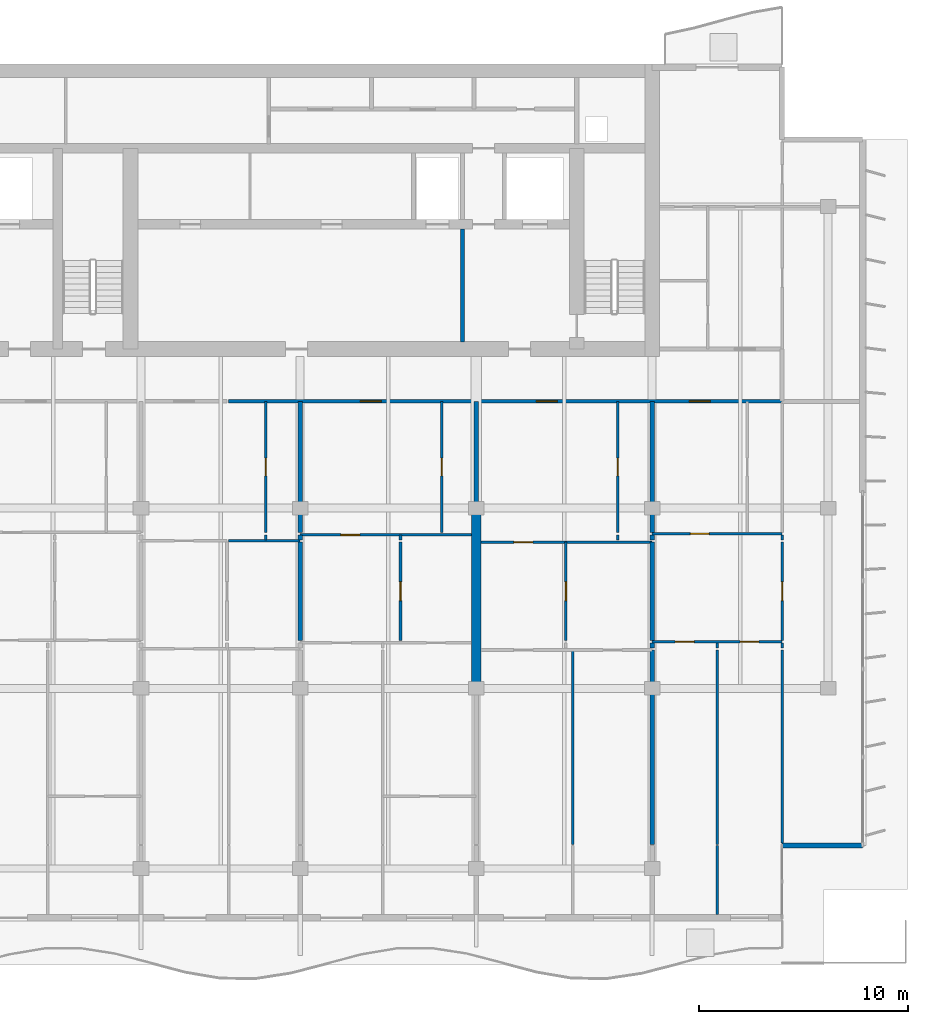
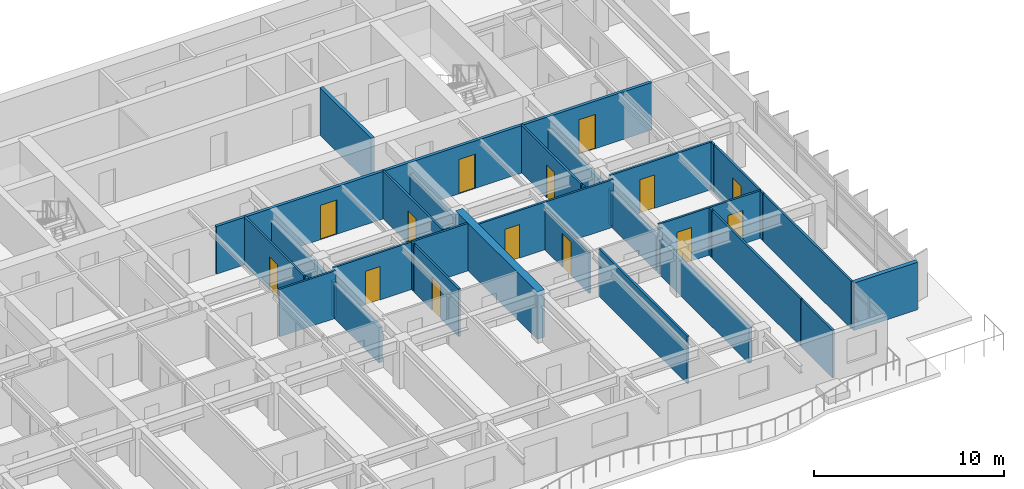
# One storey, part 9 of 17: 34 walls, 14 doors, 14 openings.
"""IFC4 building model written with IfcOpenShell, lengths in metres."""

from ifc_helpers import new_model, si_unit, direction, frame, frame_2d, origin, place, context, subcontext, project, spatial, rectangle, extrude, material, layer, layer_set, type_object, element, fill, save


model = new_model("IFC4")

# Units and contexts
model_context = context("Model", 3, precision=1e-05, world=origin(), true_north=direction((0.0, 1.0)))
body_context = subcontext(model_context, "Body", "Model", "MODEL_VIEW")
ifc_project = project(units=[si_unit("LENGTHUNIT", "METRE"), si_unit("AREAUNIT", "SQUARE_METRE"), si_unit("VOLUMEUNIT", "CUBIC_METRE"), si_unit("PLANEANGLEUNIT", "RADIAN"), si_unit("MASSUNIT", "GRAM", prefix="KILO")], contexts=[model_context])

# Site, building, storey
site_placement = place(None, origin())
site = spatial("IfcSite", under=ifc_project, at=site_placement, CompositionType="ELEMENT")
building_placement = place(site_placement, origin())
building = spatial("IfcBuilding", under=site, at=building_placement, Name="Caelmar Bay Residences", CompositionType="ELEMENT")
storey_placement = place(building_placement, frame((0.0, 0.0, 226.5)))
storey = spatial("IfcBuildingStorey", under=building, at=storey_placement, Name="L63", CompositionType="ELEMENT", Elevation=226.5)

# Wall
ifc_material_1 = material(Name="Concrete f'c 55 MPa (8,000 psi)", Category="concrete")
ifc_layer_1 = layer(ifc_material_1, 0.449951171875)
ifc_layer_set_1 = layer_set([ifc_layer_1], Name="Concrete f'c 55 MPa (8,000 psi)")
wall_type_1 = type_object("IfcWallType", Name="SW-XSLB-450", PredefinedType="SHEAR", material=ifc_layer_set_1)
wall_1_placement = place(storey_placement, frame((51.10009765625, 20.800048828125, 0.0), z_axis=(0.0, 0.0, 1.0), x_axis=(0.0, 1.0, 0.0)))
element("IfcWall", 1, at=wall_1_placement, inside=storey, type_object=wall_type_1, Name="L63 Transverse Cross-Slab Shear Wall E8", PredefinedType="SHEAR", context=body_context, shape_type="SweptSolid", body=[
    extrude(rectangle(XDim=8.599853515625, YDim=0.449951171875, at=frame_2d((4.2998046875, 0.0))), origin(), (0.0, 0.0, 1.0), 3.050048828125),
])

# Wall, openings, doors
ifc_material_2 = material(Name="Double-stud acoustic fire-rated gypsum partition 180 mm")
ifc_layer_2 = layer(ifc_material_2, 0.179931640625)
ifc_layer_set_2 = layer_set([ifc_layer_2], Name="Double-stud acoustic fire-rated gypsum partition 180 mm")
wall_type_2 = type_object("IfcWallType", Name="W-COR-200", PredefinedType="PARTITIONING", material=ifc_layer_set_2)
wall_2_placement = place(storey_placement, frame((39.280029296875, 34.5, 0.0), z_axis=(0.0, 0.0, 1.0), x_axis=(1.0, 0.0, 0.0)))
wall_2 = element("IfcWall", 2, at=wall_2_placement, inside=storey, type_object=wall_type_2, Name="L63 Partition Wall H121", PredefinedType="PARTITIONING", context=body_context, shape_type="SweptSolid", body=[
    extrude(rectangle(XDim=26.419921875, YDim=0.179931640625, at=frame_2d((13.2099609375, 0.0))), origin(), (0.0, 0.0, 1.0), 3.050048828125),
])
opening_1_placement = place(wall_2_placement, frame((6.294921875, 0.0, 0.0)))
opening_1 = element("IfcOpeningElement", 3, at=opening_1_placement, cuts=wall_2, Name="Opening D-L63-147", PredefinedType="OPENING", context=body_context, shape_type="SweptSolid", body=[
    extrude(rectangle(XDim=1.0, YDim=2.199951171875, at=frame_2d((0.5, 1.10009765625))), frame((0.0, 0.099853515625, 0.0), z_axis=(0.0, -1.0, 0.0), x_axis=(1.0, 0.0, 0.0)), (0.0, 0.0, 1.0), 0.199951171875),
])
opening_2_placement = place(wall_2_placement, frame((14.695068359375, 0.0, 0.0)))
opening_2 = element("IfcOpeningElement", 4, at=opening_2_placement, cuts=wall_2, Name="Opening D-L63-154", PredefinedType="OPENING", context=body_context, shape_type="SweptSolid", body=[
    extrude(rectangle(XDim=1.0, YDim=2.199951171875, at=frame_2d((0.5, 1.10009765625))), frame((0.0, 0.099853515625, 0.0), z_axis=(0.0, -1.0, 0.0), x_axis=(1.0, 0.0, 0.0)), (0.0, 0.0, 1.0), 0.199951171875),
])
opening_3_placement = place(wall_2_placement, frame((21.9951171875, 0.0, 0.0)))
opening_3 = element("IfcOpeningElement", 5, at=opening_3_placement, cuts=wall_2, Name="Opening D-L63-160", PredefinedType="OPENING", context=body_context, shape_type="SweptSolid", body=[
    extrude(rectangle(XDim=1.0, YDim=2.199951171875, at=frame_2d((0.5, 1.10009765625))), frame((0.0, 0.099853515625, 0.0), z_axis=(0.0, -1.0, 0.0), x_axis=(1.0, 0.0, 0.0)), (0.0, 0.0, 1.0), 0.199951171875),
])
ifc_material_3 = material(Name="Fire-rated steel and walnut architectural door assembly", Category="steel")
ifc_layer_3 = layer(ifc_material_3, 0.050048828125)
ifc_layer_set_3 = layer_set([ifc_layer_3], Name="Fire-rated steel and walnut architectural door assembly")
door_type_1 = type_object("IfcDoorType", Name="D-UNIT-1000", OperationType="NOTDEFINED", PredefinedType="DOOR", material=ifc_layer_set_3)
door_1_placement = place(opening_1_placement, origin())
door_1 = element("IfcDoor", 6, at=door_1_placement, inside=storey, type_object=door_type_1, Name="L63 Residence 05 Apartment Hall Door", OperationType="SINGLE_SWING_RIGHT", OverallHeight=2.199951171875, OverallWidth=1.0, PredefinedType="DOOR", context=body_context, shape_type="SweptSolid", body=[
    extrude(rectangle(XDim=1.0, YDim=2.199951171875, at=frame_2d((0.5, 1.10009765625))), frame((0.0, 0.02490234375, 0.0), z_axis=(0.0, -1.0, 0.0), x_axis=(1.0, 0.0, 0.0)), (0.0, 0.0, 1.0), 0.050048828125),
])
fill(opening_1, door_1)
door_2_placement = place(opening_2_placement, origin())
door_2 = element("IfcDoor", 7, at=door_2_placement, inside=storey, type_object=door_type_1, Name="L63 Residence 06 Apartment Hall Door", OperationType="SINGLE_SWING_LEFT", OverallHeight=2.199951171875, OverallWidth=1.0, PredefinedType="DOOR", context=body_context, shape_type="SweptSolid", body=[
    extrude(rectangle(XDim=1.0, YDim=2.199951171875, at=frame_2d((0.5, 1.10009765625))), frame((0.0, 0.02490234375, 0.0), z_axis=(0.0, -1.0, 0.0), x_axis=(1.0, 0.0, 0.0)), (0.0, 0.0, 1.0), 0.050048828125),
])
fill(opening_2, door_2)
door_3_placement = place(opening_3_placement, origin())
door_3 = element("IfcDoor", 8, at=door_3_placement, inside=storey, type_object=door_type_1, Name="L63 Residence 07 Apartment Hall Door", OperationType="SINGLE_SWING_LEFT", OverallHeight=2.199951171875, OverallWidth=1.0, PredefinedType="DOOR", context=body_context, shape_type="SweptSolid", body=[
    extrude(rectangle(XDim=1.0, YDim=2.199951171875, at=frame_2d((0.5, 1.10009765625))), frame((0.0, 0.02490234375, 0.0), z_axis=(0.0, -1.0, 0.0), x_axis=(1.0, 0.0, 0.0)), (0.0, 0.0, 1.0), 0.050048828125),
])
fill(opening_3, door_3)

# Walls
ifc_material_4 = material(Name="Precast concrete f'c 40 MPa (6,000 psi)", Category="concrete")
ifc_layer_4 = layer(ifc_material_4, 0.25)
ifc_layer_set_4 = layer_set([ifc_layer_4], Name="Precast concrete f'c 40 MPa (6,000 psi)")
wall_type_3 = type_object("IfcWallType", Name="W-EXT-250", PredefinedType="ELEMENTEDWALL", material=ifc_layer_set_4)
wall_3_placement = place(storey_placement, frame((65.699951171875, 13.300048828125, 0.0), z_axis=(0.0, 0.0, 1.0), x_axis=(1.0, 0.0, 0.0)))
element("IfcWall", 9, at=wall_3_placement, inside=storey, type_object=wall_type_3, Name="L63 SE Notch Return Wall", PredefinedType="ELEMENTEDWALL", context=body_context, shape_type="SweptSolid", body=[
    extrude(rectangle(XDim=3.85009765625, YDim=0.25, at=frame_2d((1.925048828125, 0.0))), origin(), (0.0, 0.0, 1.0), 3.050048828125),
])
ifc_material_5 = material(Name="Fire-rated masonry and gypsum shaftliner assembly 200 mm", Category="masonry")
ifc_layer_5 = layer(ifc_material_5, 0.199951171875)
ifc_layer_set_5 = layer_set([ifc_layer_5], Name="Fire-rated masonry and gypsum shaftliner assembly 200 mm")
wall_type_4 = type_object("IfcWallType", Name="W-FSAE-200", PredefinedType="PARTITIONING", material=ifc_layer_set_5)
wall_4_placement = place(storey_placement, frame((50.449951171875, 37.344970703125, 0.0), z_axis=(0.0, 0.0, 1.0), x_axis=(0.0, 1.0, 0.0)))
element("IfcWall", 10, at=wall_4_placement, inside=storey, type_object=wall_type_4, Name="L63 Partition Wall V069", PredefinedType="PARTITIONING", context=body_context, shape_type="SweptSolid", body=[
    extrude(rectangle(XDim=5.385009765625, YDim=0.199951171875, at=frame_2d((2.6923828125, 0.0))), origin(), (0.0, 0.0, 1.0), 3.050048828125),
])
ifc_material_6 = material(Name="Acoustic metal-stud gypsum partition 120 mm")
ifc_layer_6 = layer(ifc_material_6, 0.1201171875)
ifc_layer_set_6 = layer_set([ifc_layer_6], Name="Acoustic metal-stud gypsum partition 120 mm")
wall_type_5 = type_object("IfcWallType", Name="W-PRT-120", PredefinedType="PARTITIONING", material=ifc_layer_set_6)
wall_5_placement = place(storey_placement, frame((41.050048828125, 27.8798828125, 0.0), z_axis=(0.0, 0.0, 1.0), x_axis=(0.0, 1.0, 0.0)))
element("IfcWall", 11, at=wall_5_placement, inside=storey, type_object=wall_type_5, Name="L63 Partition Wall V052", PredefinedType="PARTITIONING", context=body_context, shape_type="SweptSolid", body=[
    extrude(rectangle(XDim=0.240234375, YDim=0.1201171875, at=frame_2d((0.1201171875, 0.0))), origin(), (0.0, 0.0, 1.0), 3.050048828125),
])

# Wall, opening, door
wall_6_placement = place(storey_placement, frame((41.050048828125, 28.239990234375, 0.0), z_axis=(0.0, 0.0, 1.0), x_axis=(0.0, 1.0, 0.0)))
wall_6 = element("IfcWall", 12, at=wall_6_placement, inside=storey, type_object=wall_type_5, Name="L63 Partition Wall V053", PredefinedType="PARTITIONING", context=body_context, shape_type="SweptSolid", body=[
    extrude(rectangle(XDim=6.260009765625, YDim=0.1201171875, at=frame_2d((3.1298828125, 0.0))), origin(), (0.0, 0.0, 1.0), 3.050048828125),
])
opening_4_placement = place(wall_6_placement, frame((2.705078125, 0.0, 0.0)))
opening_4 = element("IfcOpeningElement", 13, at=opening_4_placement, cuts=wall_6, Name="Opening D-L63-142", PredefinedType="OPENING", context=body_context, shape_type="SweptSolid", body=[
    extrude(rectangle(XDim=0.85009765625, YDim=2.10009765625, at=frame_2d((0.425048828125, 1.050048828125))), frame((0.0, 0.070068359375, 0.0), z_axis=(0.0, -1.0, 0.0), x_axis=(1.0, 0.0, 0.0)), (0.0, 0.0, 1.0), 0.14013671875),
])
ifc_material_7 = material(Name="Solid walnut timber interior door leaf and frame", Category="wood")
ifc_layer_7 = layer(ifc_material_7, 0.050048828125)
ifc_layer_set_7 = layer_set([ifc_layer_7], Name="Solid walnut timber interior door leaf and frame")
door_type_2 = type_object("IfcDoorType", Name="D-BATH-850", OperationType="NOTDEFINED", PredefinedType="DOOR", material=ifc_layer_set_7)
door_4_placement = place(opening_4_placement, origin())
door_4 = element("IfcDoor", 14, at=door_4_placement, inside=storey, type_object=door_type_2, Name="L63 Residence 04 Bathroom Door", OperationType="SINGLE_SWING_LEFT", OverallHeight=2.10009765625, OverallWidth=0.85009765625, PredefinedType="DOOR", context=body_context, shape_type="SweptSolid", body=[
    extrude(rectangle(XDim=0.85009765625, YDim=2.10009765625, at=frame_2d((0.425048828125, 1.050048828125))), frame((0.0, 0.02490234375, 0.0), z_axis=(0.0, -1.0, 0.0), x_axis=(1.0, 0.0, 0.0)), (0.0, 0.0, 1.0), 0.050048828125),
])
fill(opening_4, door_4)

wall_7_placement = place(storey_placement, frame((47.486083984375, 23.090087890625, 0.0), z_axis=(0.0, 0.0, 1.0), x_axis=(0.0, 1.0, 0.0)))
wall_7 = element("IfcWall", 15, at=wall_7_placement, inside=storey, type_object=wall_type_5, Name="L63 Partition Wall V065", PredefinedType="PARTITIONING", context=body_context, shape_type="SweptSolid", body=[
    extrude(rectangle(XDim=4.68994140625, YDim=0.1201171875, at=frame_2d((2.344970703125, 0.0))), origin(), (0.0, 0.0, 1.0), 3.050048828125),
])
opening_5_placement = place(wall_7_placement, frame((1.89501953125, 0.0, 0.0)))
opening_5 = element("IfcOpeningElement", 16, at=opening_5_placement, cuts=wall_7, Name="Opening D-L63-150", PredefinedType="OPENING", context=body_context, shape_type="SweptSolid", body=[
    extrude(rectangle(XDim=0.89990234375, YDim=2.14990234375, at=frame_2d((0.449951171875, 1.074951171875))), frame((0.0, 0.070068359375, 0.0), z_axis=(0.0, -1.0, 0.0), x_axis=(1.0, 0.0, 0.0)), (0.0, 0.0, 1.0), 0.14013671875),
])
ifc_layer_8 = layer(ifc_material_7, 0.050048828125)
ifc_layer_set_8 = layer_set([ifc_layer_8], Name="Solid walnut timber interior door leaf and frame")
door_type_3 = type_object("IfcDoorType", Name="D-ROOM-900", OperationType="NOTDEFINED", PredefinedType="DOOR", material=ifc_layer_set_8)
door_5_placement = place(opening_5_placement, origin())
door_5 = element("IfcDoor", 17, at=door_5_placement, inside=storey, type_object=door_type_3, Name="L63 Residence 05 Study Door", OperationType="SINGLE_SWING_LEFT", OverallHeight=2.14990234375, OverallWidth=0.89990234375, PredefinedType="DOOR", context=body_context, shape_type="SweptSolid", body=[
    extrude(rectangle(XDim=0.89990234375, YDim=2.14990234375, at=frame_2d((0.449951171875, 1.074951171875))), frame((0.0, 0.02490234375, 0.0), z_axis=(0.0, -1.0, 0.0), x_axis=(1.0, 0.0, 0.0)), (0.0, 0.0, 1.0), 0.050048828125),
])
fill(opening_5, door_5)

# Wall
wall_8_placement = place(storey_placement, frame((47.486083984375, 27.8798828125, 0.0), z_axis=(0.0, 0.0, 1.0), x_axis=(0.0, 1.0, 0.0)))
element("IfcWall", 18, at=wall_8_placement, inside=storey, type_object=wall_type_5, Name="L63 Partition Wall V066", PredefinedType="PARTITIONING", context=body_context, shape_type="SweptSolid", body=[
    extrude(rectangle(XDim=0.240234375, YDim=0.1201171875, at=frame_2d((0.1201171875, 0.0))), origin(), (0.0, 0.0, 1.0), 3.050048828125),
])

# Wall, opening, door
wall_9_placement = place(storey_placement, frame((49.449951171875, 28.239990234375, 0.0), z_axis=(0.0, 0.0, 1.0), x_axis=(0.0, 1.0, 0.0)))
wall_9 = element("IfcWall", 19, at=wall_9_placement, inside=storey, type_object=wall_type_5, Name="L63 Partition Wall V068", PredefinedType="PARTITIONING", context=body_context, shape_type="SweptSolid", body=[
    extrude(rectangle(XDim=6.260009765625, YDim=0.1201171875, at=frame_2d((3.1298828125, 0.0))), origin(), (0.0, 0.0, 1.0), 3.050048828125),
])
opening_6_placement = place(wall_9_placement, frame((2.705078125, 0.0, 0.0)))
opening_6 = element("IfcOpeningElement", 20, at=opening_6_placement, cuts=wall_9, Name="Opening D-L63-148", PredefinedType="OPENING", context=body_context, shape_type="SweptSolid", body=[
    extrude(rectangle(XDim=0.85009765625, YDim=2.10009765625, at=frame_2d((0.425048828125, 1.050048828125))), frame((0.0, 0.070068359375, 0.0), z_axis=(0.0, -1.0, 0.0), x_axis=(1.0, 0.0, 0.0)), (0.0, 0.0, 1.0), 0.14013671875),
])
door_6_placement = place(opening_6_placement, origin())
door_6 = element("IfcDoor", 21, at=door_6_placement, inside=storey, type_object=door_type_2, Name="L63 Residence 05 Bathroom Door", OperationType="SINGLE_SWING_LEFT", OverallHeight=2.10009765625, OverallWidth=0.85009765625, PredefinedType="DOOR", context=body_context, shape_type="SweptSolid", body=[
    extrude(rectangle(XDim=0.85009765625, YDim=2.10009765625, at=frame_2d((0.425048828125, 1.050048828125))), frame((0.0, 0.02490234375, 0.0), z_axis=(0.0, -1.0, 0.0), x_axis=(1.0, 0.0, 0.0)), (0.0, 0.0, 1.0), 0.050048828125),
])
fill(opening_6, door_6)

wall_10_placement = place(storey_placement, frame((55.385986328125, 23.090087890625, 0.0), z_axis=(0.0, 0.0, 1.0), x_axis=(0.0, 1.0, 0.0)))
wall_10 = element("IfcWall", 22, at=wall_10_placement, inside=storey, type_object=wall_type_5, Name="L63 Partition Wall V077", PredefinedType="PARTITIONING", context=body_context, shape_type="SweptSolid", body=[
    extrude(rectangle(XDim=4.68994140625, YDim=0.1201171875, at=frame_2d((2.344970703125, 0.0))), origin(), (0.0, 0.0, 1.0), 2.62890625),
])
opening_7_placement = place(wall_10_placement, frame((1.89501953125, 0.0, 0.0)))
opening_7 = element("IfcOpeningElement", 23, at=opening_7_placement, cuts=wall_10, Name="Opening D-L63-157", PredefinedType="OPENING", context=body_context, shape_type="SweptSolid", body=[
    extrude(rectangle(XDim=0.89990234375, YDim=2.14990234375, at=frame_2d((0.449951171875, 1.074951171875))), frame((0.0, 0.070068359375, 0.0), z_axis=(0.0, -1.0, 0.0), x_axis=(1.0, 0.0, 0.0)), (0.0, 0.0, 1.0), 0.14013671875),
])
door_7_placement = place(opening_7_placement, origin())
door_7 = element("IfcDoor", 24, at=door_7_placement, inside=storey, type_object=door_type_3, Name="L63 Residence 06 Study Door", OperationType="SINGLE_SWING_RIGHT", OverallHeight=2.14990234375, OverallWidth=0.89990234375, PredefinedType="DOOR", context=body_context, shape_type="SweptSolid", body=[
    extrude(rectangle(XDim=0.89990234375, YDim=2.14990234375, at=frame_2d((0.449951171875, 1.074951171875))), frame((0.0, 0.02490234375, 0.0), z_axis=(0.0, -1.0, 0.0), x_axis=(1.0, 0.0, 0.0)), (0.0, 0.0, 1.0), 0.050048828125),
])
fill(opening_7, door_7)

# Walls
wall_11_placement = place(storey_placement, frame((55.719970703125, 13.340087890625, 0.0), z_axis=(0.0, 0.0, 1.0), x_axis=(0.0, 1.0, 0.0)))
element("IfcWall", 25, at=wall_11_placement, inside=storey, type_object=wall_type_5, Name="L63 Partition Wall V079", PredefinedType="PARTITIONING", context=body_context, shape_type="SweptSolid", body=[
    extrude(rectangle(XDim=9.289794921875, YDim=0.1201171875, at=frame_2d((4.64501953125, 0.0))), origin(), (0.0, 0.0, 1.0), 3.050048828125),
])
wall_12_placement = place(storey_placement, frame((57.85009765625, 27.8798828125, 0.0), z_axis=(0.0, 0.0, 1.0), x_axis=(0.0, 1.0, 0.0)))
element("IfcWall", 26, at=wall_12_placement, inside=storey, type_object=wall_type_5, Name="L63 Partition Wall V081", PredefinedType="PARTITIONING", context=body_context, shape_type="SweptSolid", body=[
    extrude(rectangle(XDim=0.240234375, YDim=0.1201171875, at=frame_2d((0.1201171875, 0.0))), origin(), (0.0, 0.0, 1.0), 3.050048828125),
])

# Wall, opening, door
wall_13_placement = place(storey_placement, frame((57.85009765625, 28.239990234375, 0.0), z_axis=(0.0, 0.0, 1.0), x_axis=(0.0, 1.0, 0.0)))
wall_13 = element("IfcWall", 27, at=wall_13_placement, inside=storey, type_object=wall_type_5, Name="L63 Partition Wall V082", PredefinedType="PARTITIONING", context=body_context, shape_type="SweptSolid", body=[
    extrude(rectangle(XDim=6.260009765625, YDim=0.1201171875, at=frame_2d((3.1298828125, 0.0))), origin(), (0.0, 0.0, 1.0), 3.050048828125),
])
opening_8_placement = place(wall_13_placement, frame((2.705078125, 0.0, 0.0)))
opening_8 = element("IfcOpeningElement", 28, at=opening_8_placement, cuts=wall_13, Name="Opening D-L63-155", PredefinedType="OPENING", context=body_context, shape_type="SweptSolid", body=[
    extrude(rectangle(XDim=0.85009765625, YDim=2.10009765625, at=frame_2d((0.425048828125, 1.050048828125))), frame((0.0, 0.070068359375, 0.0), z_axis=(0.0, -1.0, 0.0), x_axis=(1.0, 0.0, 0.0)), (0.0, 0.0, 1.0), 0.14013671875),
])
door_8_placement = place(opening_8_placement, origin())
door_8 = element("IfcDoor", 29, at=door_8_placement, inside=storey, type_object=door_type_2, Name="L63 Residence 06 Bathroom Door", OperationType="SINGLE_SWING_RIGHT", OverallHeight=2.10009765625, OverallWidth=0.85009765625, PredefinedType="DOOR", context=body_context, shape_type="SweptSolid", body=[
    extrude(rectangle(XDim=0.85009765625, YDim=2.10009765625, at=frame_2d((0.425048828125, 1.050048828125))), frame((0.0, 0.02490234375, 0.0), z_axis=(0.0, -1.0, 0.0), x_axis=(1.0, 0.0, 0.0)), (0.0, 0.0, 1.0), 0.050048828125),
])
fill(opening_8, door_8)

# Walls
wall_14_placement = place(storey_placement, frame((62.60009765625, 9.9951171875, 0.0), z_axis=(0.0, 0.0, 1.0), x_axis=(0.0, 1.0, 0.0)))
element("IfcWall", 30, at=wall_14_placement, inside=storey, type_object=wall_type_5, Name="L63 Partition Wall V090", PredefinedType="PARTITIONING", context=body_context, shape_type="SweptSolid", body=[
    extrude(rectangle(XDim=3.304931640625, YDim=0.1201171875, at=frame_2d((1.65234375, 0.0))), origin(), (0.0, 0.0, 1.0), 3.050048828125),
])
wall_15_placement = place(storey_placement, frame((62.60009765625, 13.340087890625, 0.0), z_axis=(0.0, 0.0, 1.0), x_axis=(0.0, 1.0, 0.0)))
element("IfcWall", 31, at=wall_15_placement, inside=storey, type_object=wall_type_5, Name="L63 Partition Wall V091", PredefinedType="PARTITIONING", context=body_context, shape_type="SweptSolid", body=[
    extrude(rectangle(XDim=9.289794921875, YDim=0.1201171875, at=frame_2d((4.64501953125, 0.0))), origin(), (0.0, 0.0, 1.0), 3.050048828125),
])
wall_16_placement = place(storey_placement, frame((62.60009765625, 22.72998046875, 0.0), z_axis=(0.0, 0.0, 1.0), x_axis=(0.0, 1.0, 0.0)))
element("IfcWall", 32, at=wall_16_placement, inside=storey, type_object=wall_type_5, Name="L63 Partition Wall V092", PredefinedType="PARTITIONING", context=body_context, shape_type="SweptSolid", body=[
    extrude(rectangle(XDim=0.239990234375, YDim=0.1201171875, at=frame_2d((0.1201171875, 0.0))), origin(), (0.0, 0.0, 1.0), 3.050048828125),
])
wall_17_placement = place(storey_placement, frame((65.699951171875, 13.419921875, 0.0), z_axis=(0.0, 0.0, 1.0), x_axis=(0.0, 1.0, 0.0)))
element("IfcWall", 33, at=wall_17_placement, inside=storey, type_object=wall_type_5, Name="L63 Partition Wall V094", PredefinedType="PARTITIONING", context=body_context, shape_type="SweptSolid", body=[
    extrude(rectangle(XDim=9.2099609375, YDim=0.1201171875, at=frame_2d((4.60498046875, 0.0))), origin(), (0.0, 0.0, 1.0), 3.050048828125),
])
wall_18_placement = place(storey_placement, frame((65.699951171875, 22.72998046875, 0.0), z_axis=(0.0, 0.0, 1.0), x_axis=(0.0, 1.0, 0.0)))
element("IfcWall", 34, at=wall_18_placement, inside=storey, type_object=wall_type_5, Name="L63 Partition Wall V095", PredefinedType="PARTITIONING", context=body_context, shape_type="SweptSolid", body=[
    extrude(rectangle(XDim=0.239990234375, YDim=0.1201171875, at=frame_2d((0.1201171875, 0.0))), origin(), (0.0, 0.0, 1.0), 3.050048828125),
])

# Wall, opening, door
wall_19_placement = place(storey_placement, frame((65.699951171875, 23.090087890625, 0.0), z_axis=(0.0, 0.0, 1.0), x_axis=(0.0, 1.0, 0.0)))
wall_19 = element("IfcWall", 35, at=wall_19_placement, inside=storey, type_object=wall_type_5, Name="L63 Partition Wall V096", PredefinedType="PARTITIONING", context=body_context, shape_type="SweptSolid", body=[
    extrude(rectangle(XDim=4.68994140625, YDim=0.1201171875, at=frame_2d((2.344970703125, 0.0))), origin(), (0.0, 0.0, 1.0), 3.050048828125),
])
opening_9_placement = place(wall_19_placement, frame((1.89501953125, 0.0, 0.0)))
opening_9 = element("IfcOpeningElement", 36, at=opening_9_placement, cuts=wall_19, Name="Opening D-L63-166", PredefinedType="OPENING", context=body_context, shape_type="SweptSolid", body=[
    extrude(rectangle(XDim=0.89990234375, YDim=2.14990234375, at=frame_2d((0.449951171875, 1.074951171875))), frame((0.0, 0.070068359375, 0.0), z_axis=(0.0, -1.0, 0.0), x_axis=(1.0, 0.0, 0.0)), (0.0, 0.0, 1.0), 0.14013671875),
])
door_9_placement = place(opening_9_placement, origin())
door_9 = element("IfcDoor", 37, at=door_9_placement, inside=storey, type_object=door_type_3, Name="L63 Residence 07 Penthouse East Salon Door", OperationType="SINGLE_SWING_LEFT", OverallHeight=2.14990234375, OverallWidth=0.89990234375, PredefinedType="DOOR", context=body_context, shape_type="SweptSolid", body=[
    extrude(rectangle(XDim=0.89990234375, YDim=2.14990234375, at=frame_2d((0.449951171875, 1.074951171875))), frame((0.0, 0.02490234375, 0.0), z_axis=(0.0, -1.0, 0.0), x_axis=(1.0, 0.0, 0.0)), (0.0, 0.0, 1.0), 0.050048828125),
])
fill(opening_9, door_9)

# Wall
wall_20_placement = place(storey_placement, frame((65.699951171875, 27.8798828125, 0.0), z_axis=(0.0, 0.0, 1.0), x_axis=(0.0, 1.0, 0.0)))
element("IfcWall", 38, at=wall_20_placement, inside=storey, type_object=wall_type_5, Name="L63 Partition Wall V097", PredefinedType="PARTITIONING", context=body_context, shape_type="SweptSolid", body=[
    extrude(rectangle(XDim=0.240234375, YDim=0.1201171875, at=frame_2d((0.1201171875, 0.0))), origin(), (0.0, 0.0, 1.0), 3.050048828125),
])

# Wall, openings, doors
wall_21_placement = place(storey_placement, frame((59.5, 23.030029296875, 0.0), z_axis=(0.0, 0.0, 1.0), x_axis=(1.0, 0.0, 0.0)))
wall_21 = element("IfcWall", 39, at=wall_21_placement, inside=storey, type_object=wall_type_5, Name="L63 Partition Wall H109", PredefinedType="PARTITIONING", context=body_context, shape_type="SweptSolid", body=[
    extrude(rectangle(XDim=6.199951171875, YDim=0.1201171875, at=frame_2d((3.10009765625, 0.0))), origin(), (0.0, 0.0, 1.0), 3.050048828125),
])
opening_10_placement = place(wall_21_placement, frame((1.10009765625, 0.0, 0.0)))
opening_10 = element("IfcOpeningElement", 40, at=opening_10_placement, cuts=wall_21, Name="Opening D-L63-163", PredefinedType="OPENING", context=body_context, shape_type="SweptSolid", body=[
    extrude(rectangle(XDim=0.89990234375, YDim=2.14990234375, at=frame_2d((0.449951171875, 1.074951171875))), frame((0.0, 0.070068359375, 0.0), z_axis=(0.0, -1.0, 0.0), x_axis=(1.0, 0.0, 0.0)), (0.0, 0.0, 1.0), 0.14013671875),
])
opening_11_placement = place(wall_21_placement, frame((4.199951171875, 0.0, 0.0)))
opening_11 = element("IfcOpeningElement", 41, at=opening_11_placement, cuts=wall_21, Name="Opening D-L63-164", PredefinedType="OPENING", context=body_context, shape_type="SweptSolid", body=[
    extrude(rectangle(XDim=0.89990234375, YDim=2.14990234375, at=frame_2d((0.449951171875, 1.074951171875))), frame((0.0, 0.070068359375, 0.0), z_axis=(0.0, -1.0, 0.0), x_axis=(1.0, 0.0, 0.0)), (0.0, 0.0, 1.0), 0.14013671875),
])
door_10_placement = place(opening_10_placement, origin())
door_10 = element("IfcDoor", 42, at=door_10_placement, inside=storey, type_object=door_type_3, Name="L63 Residence 07 Living Room Door", OperationType="SINGLE_SWING_RIGHT", OverallHeight=2.14990234375, OverallWidth=0.89990234375, PredefinedType="DOOR", context=body_context, shape_type="SweptSolid", body=[
    extrude(rectangle(XDim=0.89990234375, YDim=2.14990234375, at=frame_2d((0.449951171875, 1.074951171875))), frame((0.0, 0.02490234375, 0.0), z_axis=(0.0, -1.0, 0.0), x_axis=(1.0, 0.0, 0.0)), (0.0, 0.0, 1.0), 0.050048828125),
])
fill(opening_10, door_10)
door_11_placement = place(opening_11_placement, origin())
door_11 = element("IfcDoor", 43, at=door_11_placement, inside=storey, type_object=door_type_3, Name="L63 Residence 07 Primary Bedroom Door", OperationType="SINGLE_SWING_LEFT", OverallHeight=2.14990234375, OverallWidth=0.89990234375, PredefinedType="DOOR", context=body_context, shape_type="SweptSolid", body=[
    extrude(rectangle(XDim=0.89990234375, YDim=2.14990234375, at=frame_2d((0.449951171875, 1.074951171875))), frame((0.0, 0.02490234375, 0.0), z_axis=(0.0, -1.0, 0.0), x_axis=(1.0, 0.0, 0.0)), (0.0, 0.0, 1.0), 0.050048828125),
])
fill(opening_11, door_11)

# Wall, opening, door
wall_22_placement = place(storey_placement, frame((51.320068359375, 27.780029296875, 0.0), z_axis=(0.0, 0.0, 1.0), x_axis=(1.0, 0.0, 0.0)))
wall_22 = element("IfcWall", 44, at=wall_22_placement, inside=storey, type_object=wall_type_5, Name="L63 Partition Wall H111", PredefinedType="PARTITIONING", context=body_context, shape_type="SweptSolid", body=[
    extrude(rectangle(XDim=8.179931640625, YDim=0.1201171875, at=frame_2d((4.08984375, 0.0))), origin(), (0.0, 0.0, 1.0), 3.050048828125),
])
opening_12_placement = place(wall_22_placement, frame((1.5830078125, 0.0, 0.0)))
opening_12 = element("IfcOpeningElement", 45, at=opening_12_placement, cuts=wall_22, Name="Opening D-L63-156", PredefinedType="OPENING", context=body_context, shape_type="SweptSolid", body=[
    extrude(rectangle(XDim=0.89990234375, YDim=2.14990234375, at=frame_2d((0.449951171875, 1.074951171875))), frame((0.0, 0.070068359375, 0.0), z_axis=(0.0, -1.0, 0.0), x_axis=(1.0, 0.0, 0.0)), (0.0, 0.0, 1.0), 0.14013671875),
])
door_12_placement = place(opening_12_placement, origin())
door_12 = element("IfcDoor", 46, at=door_12_placement, inside=storey, type_object=door_type_3, Name="L63 Residence 06 Kitchen Door", OperationType="SINGLE_SWING_LEFT", OverallHeight=2.14990234375, OverallWidth=0.89990234375, PredefinedType="DOOR", context=body_context, shape_type="SweptSolid", body=[
    extrude(rectangle(XDim=0.89990234375, YDim=2.14990234375, at=frame_2d((0.449951171875, 1.074951171875))), frame((0.0, 0.02490234375, 0.0), z_axis=(0.0, -1.0, 0.0), x_axis=(1.0, 0.0, 0.0)), (0.0, 0.0, 1.0), 0.050048828125),
])
fill(opening_12, door_12)

# Wall
wall_23_placement = place(storey_placement, frame((39.280029296875, 27.840087890625, 0.0), z_axis=(0.0, 0.0, 1.0), x_axis=(1.0, 0.0, 0.0)))
element("IfcWall", 47, at=wall_23_placement, inside=storey, type_object=wall_type_5, Name="L63 Partition Wall H113", PredefinedType="PARTITIONING", context=body_context, shape_type="SweptSolid", body=[
    extrude(rectangle(XDim=3.419921875, YDim=0.1201171875, at=frame_2d((1.7099609375, 0.0))), origin(), (0.0, 0.0, 1.0), 3.050048828125),
])

# Wall, opening, door
wall_24_placement = place(storey_placement, frame((42.699951171875, 28.1201171875, 0.0), z_axis=(0.0, 0.0, 1.0), x_axis=(1.0, 0.0, 0.0)))
wall_24 = element("IfcWall", 48, at=wall_24_placement, inside=storey, type_object=wall_type_5, Name="L63 Partition Wall H115", PredefinedType="PARTITIONING", context=body_context, shape_type="SweptSolid", body=[
    extrude(rectangle(XDim=8.179931640625, YDim=0.1201171875, at=frame_2d((4.08984375, 0.0))), origin(), (0.0, 0.0, 1.0), 3.050048828125),
])
opening_13_placement = place(wall_24_placement, frame((1.943115234375, 0.0, 0.0)))
opening_13 = element("IfcOpeningElement", 49, at=opening_13_placement, cuts=wall_24, Name="Opening D-L63-149", PredefinedType="OPENING", context=body_context, shape_type="SweptSolid", body=[
    extrude(rectangle(XDim=0.89990234375, YDim=2.14990234375, at=frame_2d((0.449951171875, 1.074951171875))), frame((0.0, 0.070068359375, 0.0), z_axis=(0.0, -1.0, 0.0), x_axis=(1.0, 0.0, 0.0)), (0.0, 0.0, 1.0), 0.14013671875),
])
door_13_placement = place(opening_13_placement, origin())
door_13 = element("IfcDoor", 50, at=door_13_placement, inside=storey, type_object=door_type_3, Name="L63 Residence 05 Kitchen Door", OperationType="SINGLE_SWING_RIGHT", OverallHeight=2.14990234375, OverallWidth=0.89990234375, PredefinedType="DOOR", context=body_context, shape_type="SweptSolid", body=[
    extrude(rectangle(XDim=0.89990234375, YDim=2.14990234375, at=frame_2d((0.449951171875, 1.074951171875))), frame((0.0, 0.02490234375, 0.0), z_axis=(0.0, -1.0, 0.0), x_axis=(1.0, 0.0, 0.0)), (0.0, 0.0, 1.0), 0.050048828125),
])
fill(opening_13, door_13)

wall_25_placement = place(storey_placement, frame((59.5, 28.179931640625, 0.0), z_axis=(0.0, 0.0, 1.0), x_axis=(1.0, 0.0, 0.0)))
wall_25 = element("IfcWall", 51, at=wall_25_placement, inside=storey, type_object=wall_type_5, Name="L63 Partition Wall H117", PredefinedType="PARTITIONING", context=body_context, shape_type="SweptSolid", body=[
    extrude(rectangle(XDim=6.199951171875, YDim=0.1201171875, at=frame_2d((3.10009765625, 0.0))), origin(), (0.0, 0.0, 1.0), 3.050048828125),
])
opening_14_placement = place(wall_25_placement, frame((1.824951171875, 0.0, 0.0)))
opening_14 = element("IfcOpeningElement", 52, at=opening_14_placement, cuts=wall_25, Name="Opening D-L63-162", PredefinedType="OPENING", context=body_context, shape_type="SweptSolid", body=[
    extrude(rectangle(XDim=0.89990234375, YDim=2.14990234375, at=frame_2d((0.449951171875, 1.074951171875))), frame((0.0, 0.070068359375, 0.0), z_axis=(0.0, -1.0, 0.0), x_axis=(1.0, 0.0, 0.0)), (0.0, 0.0, 1.0), 0.14013671875),
])
door_14_placement = place(opening_14_placement, origin())
door_14 = element("IfcDoor", 53, at=door_14_placement, inside=storey, type_object=door_type_3, Name="L63 Residence 07 Kitchen Door", OperationType="SINGLE_SWING_LEFT", OverallHeight=2.14990234375, OverallWidth=0.89990234375, PredefinedType="DOOR", context=body_context, shape_type="SweptSolid", body=[
    extrude(rectangle(XDim=0.89990234375, YDim=2.14990234375, at=frame_2d((0.449951171875, 1.074951171875))), frame((0.0, 0.02490234375, 0.0), z_axis=(0.0, -1.0, 0.0), x_axis=(1.0, 0.0, 0.0)), (0.0, 0.0, 1.0), 0.050048828125),
])
fill(opening_14, door_14)

# Walls
ifc_material_8 = material(Name="Acoustic twin-stud fire-rated inter-tenancy partition 200 mm")
ifc_layer_9 = layer(ifc_material_8, 0.199951171875)
ifc_layer_set_9 = layer_set([ifc_layer_9], Name="Acoustic twin-stud fire-rated inter-tenancy partition 200 mm")
wall_type_6 = type_object("IfcWallType", Name="W-PTY-200", PredefinedType="PARTITIONING", material=ifc_layer_set_9)
wall_26_placement = place(storey_placement, frame((42.699951171875, 23.090087890625, 0.0), z_axis=(0.0, 0.0, 1.0), x_axis=(0.0, 1.0, 0.0)))
element("IfcWall", 54, at=wall_26_placement, inside=storey, type_object=wall_type_6, Name="L63 Partition Wall V058", PredefinedType="PARTITIONING", context=body_context, shape_type="SweptSolid", body=[
    extrude(rectangle(XDim=4.68994140625, YDim=0.199951171875, at=frame_2d((2.344970703125, 0.0))), origin(), (0.0, 0.0, 1.0), 2.262939453125),
])
wall_27_placement = place(storey_placement, frame((42.699951171875, 27.8798828125, 0.0), z_axis=(0.0, 0.0, 1.0), x_axis=(0.0, 1.0, 0.0)))
element("IfcWall", 55, at=wall_27_placement, inside=storey, type_object=wall_type_6, Name="L63 Partition Wall V059", PredefinedType="PARTITIONING", context=body_context, shape_type="SweptSolid", body=[
    extrude(rectangle(XDim=0.240234375, YDim=0.199951171875, at=frame_2d((0.1201171875, 0.0))), origin(), (0.0, 0.0, 1.0), 2.262939453125),
])
wall_28_placement = place(storey_placement, frame((42.699951171875, 28.239990234375, 0.0), z_axis=(0.0, 0.0, 1.0), x_axis=(0.0, 1.0, 0.0)))
element("IfcWall", 56, at=wall_28_placement, inside=storey, type_object=wall_type_6, Name="L63 Partition Wall V060", PredefinedType="PARTITIONING", context=body_context, shape_type="SweptSolid", body=[
    extrude(rectangle(XDim=6.260009765625, YDim=0.199951171875, at=frame_2d((3.1298828125, 0.0))), origin(), (0.0, 0.0, 1.0), 2.262939453125),
])
wall_29_placement = place(storey_placement, frame((51.10009765625, 29.405029296875, 0.0), z_axis=(0.0, 0.0, 1.0), x_axis=(0.0, 1.0, 0.0)))
element("IfcWall", 57, at=wall_29_placement, inside=storey, type_object=wall_type_6, Name="L63 Partition Wall V074", PredefinedType="PARTITIONING", context=body_context, shape_type="SweptSolid", body=[
    extrude(rectangle(XDim=5.094970703125, YDim=0.199951171875, at=frame_2d((2.54736328125, 0.0))), origin(), (0.0, 0.0, 1.0), 2.3349609375),
])
wall_30_placement = place(storey_placement, frame((59.5, 13.340087890625, 0.0), z_axis=(0.0, 0.0, 1.0), x_axis=(0.0, 1.0, 0.0)))
element("IfcWall", 58, at=wall_30_placement, inside=storey, type_object=wall_type_6, Name="L63 Partition Wall V084", PredefinedType="PARTITIONING", context=body_context, shape_type="SweptSolid", body=[
    extrude(rectangle(XDim=9.289794921875, YDim=0.199951171875, at=frame_2d((4.64501953125, 0.0))), origin(), (0.0, 0.0, 1.0), 2.262939453125),
])
wall_31_placement = place(storey_placement, frame((59.5, 22.72998046875, 0.0), z_axis=(0.0, 0.0, 1.0), x_axis=(0.0, 1.0, 0.0)))
element("IfcWall", 59, at=wall_31_placement, inside=storey, type_object=wall_type_6, Name="L63 Partition Wall V085", PredefinedType="PARTITIONING", context=body_context, shape_type="SweptSolid", body=[
    extrude(rectangle(XDim=0.239990234375, YDim=0.199951171875, at=frame_2d((0.1201171875, 0.0))), origin(), (0.0, 0.0, 1.0), 2.262939453125),
])
wall_32_placement = place(storey_placement, frame((59.5, 23.090087890625, 0.0), z_axis=(0.0, 0.0, 1.0), x_axis=(0.0, 1.0, 0.0)))
element("IfcWall", 60, at=wall_32_placement, inside=storey, type_object=wall_type_6, Name="L63 Partition Wall V086", PredefinedType="PARTITIONING", context=body_context, shape_type="SweptSolid", body=[
    extrude(rectangle(XDim=4.68994140625, YDim=0.199951171875, at=frame_2d((2.344970703125, 0.0))), origin(), (0.0, 0.0, 1.0), 2.262939453125),
])
wall_33_placement = place(storey_placement, frame((59.5, 27.8798828125, 0.0), z_axis=(0.0, 0.0, 1.0), x_axis=(0.0, 1.0, 0.0)))
element("IfcWall", 61, at=wall_33_placement, inside=storey, type_object=wall_type_6, Name="L63 Partition Wall V087", PredefinedType="PARTITIONING", context=body_context, shape_type="SweptSolid", body=[
    extrude(rectangle(XDim=0.240234375, YDim=0.199951171875, at=frame_2d((0.1201171875, 0.0))), origin(), (0.0, 0.0, 1.0), 2.262939453125),
])
wall_34_placement = place(storey_placement, frame((59.5, 28.239990234375, 0.0), z_axis=(0.0, 0.0, 1.0), x_axis=(0.0, 1.0, 0.0)))
element("IfcWall", 62, at=wall_34_placement, inside=storey, type_object=wall_type_6, Name="L63 Partition Wall V088", PredefinedType="PARTITIONING", context=body_context, shape_type="SweptSolid", body=[
    extrude(rectangle(XDim=6.260009765625, YDim=0.199951171875, at=frame_2d((3.1298828125, 0.0))), origin(), (0.0, 0.0, 1.0), 2.262939453125),
])

save(model, "model.ifc")
